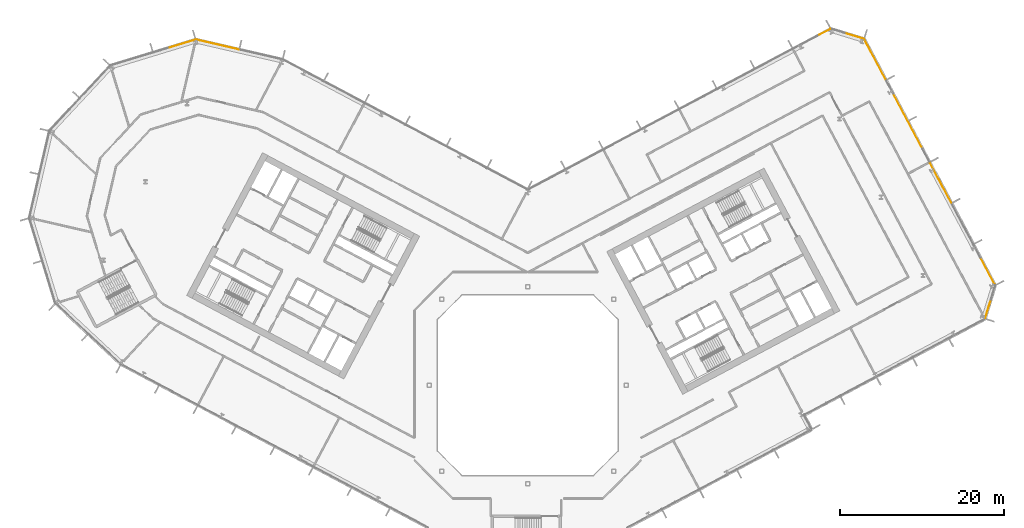
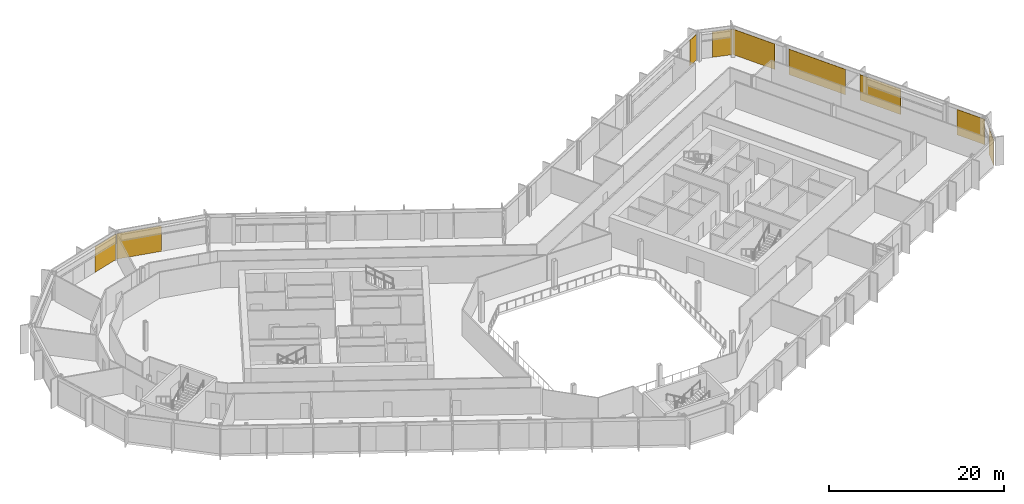
# One storey, part 28 of 28: 9 coverings, 6 elements without a shape of their own.
"""IFC4 building model written with IfcOpenShell, lengths in metres."""

from ifc_helpers import new_model, si_unit, direction, frame, origin, origin_2d, place, context, subcontext, project, spatial, rectangle, extrude, material, layer, layer_set, type_object, element, aggregate, save


model = new_model("IFC4")

# Units and contexts
model_context = context("Model", 3, precision=1e-05, world=origin(), true_north=direction((0.0, 1.0)))
body_context = subcontext(model_context, "Body", "Model", "MODEL_VIEW")
ifc_project = project(units=[si_unit("LENGTHUNIT", "METRE"), si_unit("AREAUNIT", "SQUARE_METRE"), si_unit("VOLUMEUNIT", "CUBIC_METRE"), si_unit("PLANEANGLEUNIT", "RADIAN"), si_unit("MASSUNIT", "GRAM", prefix="KILO")], contexts=[model_context])

# Site, building, storey
site_placement = place(None, origin())
site = spatial("IfcSite", under=ifc_project, at=site_placement, CompositionType="ELEMENT")
building_placement = place(site_placement, origin())
building = spatial("IfcBuilding", under=site, at=building_placement, Name="Cormorant Relay Tower", CompositionType="ELEMENT")
storey_placement = place(building_placement, frame((0.0, 0.0, 138.199951171875)))
storey = spatial("IfcBuildingStorey", under=building, at=storey_placement, Name="L28", CompositionType="ELEMENT", Elevation=138.199951171875)

# Curtain wall, covering
ifc_material_1 = material(Name="Aluminium 6063-T6 anodised bronze", Category="aluminium")
ifc_layer_1 = layer(ifc_material_1, 0.199951171875)
ifc_layer_set_1 = layer_set([ifc_layer_1], Name="CW1 unitised bronze curtain wall with vertical fins")
curtain_wall_type = type_object("IfcCurtainWallType", Name="CW1 unitised bronze curtain wall with vertical fins", PredefinedType="NOTDEFINED", material=ifc_layer_set_1)
curtain_wall_1_placement = place(storey_placement, origin())
curtain_wall_1 = element("IfcCurtainWall", 1, at=curtain_wall_1_placement, inside=storey, type_object=curtain_wall_type, Name="CW1 curtain wall 5", PredefinedType="NOTDEFINED")
ifc_material_2 = material(Name="Pale bronze anodised aluminium insulated panel", Category="aluminium")
ifc_layer_2 = layer(ifc_material_2, 0.0400390625)
ifc_layer_set_2 = layer_set([ifc_layer_2], Name="CW1 pale bronze insulated panel 40")
covering_type = type_object("IfcCoveringType", Name="CW1 pale bronze insulated panel 40", PredefinedType="CLADDING", material=ifc_layer_set_2)
covering_1_placement = place(storey_placement, frame((56.103515625, 9.303955078125, 0.0), z_axis=(0.0, 0.0, 1.0), x_axis=(0.292371704723, 0.956304755963, 0.0)))
covering_1 = element("IfcCovering", 2, at=covering_1_placement, type_object=covering_type, Name="CW1 panel S00", PredefinedType="CLADDING", context=body_context, shape_type="SweptSolid", body=[
    extrude(rectangle(XDim=2.36767578125, YDim=0.0400390625, at=origin_2d()), origin(), (0.0, 0.0, 1.0), 3.550048828125),
])
aggregate(curtain_wall_1, [covering_1])

# Curtain wall, coverings
curtain_wall_2_placement = place(storey_placement, origin())
curtain_wall_2 = element("IfcCurtainWall", 3, at=curtain_wall_2_placement, inside=storey, type_object=curtain_wall_type, Name="CW1 curtain wall 6", PredefinedType="NOTDEFINED")
covering_2_placement = place(storey_placement, frame((56.066650390625, 13.879638671875, 0.0), z_axis=(0.0, 0.0, 1.0), x_axis=(-0.469471562786, 0.882947592859, 0.0)))
covering_2 = element("IfcCovering", 4, at=covering_2_placement, type_object=covering_type, Name="CW1 panel S00", PredefinedType="CLADDING", context=body_context, shape_type="SweptSolid", body=[
    extrude(rectangle(XDim=3.716796875, YDim=0.0400390625, at=origin_2d()), origin(), (0.0, 0.0, 1.0), 3.550048828125),
])
covering_3_placement = place(storey_placement, frame((50.323486328125, 24.68115234375, 0.0), z_axis=(0.0, 0.0, 1.0), x_axis=(-0.469471562786, 0.882947592859, 0.0)))
covering_3 = element("IfcCovering", 5, at=covering_3_placement, type_object=covering_type, Name="CW1 panel S03", PredefinedType="CLADDING", context=body_context, shape_type="SweptSolid", body=[
    extrude(rectangle(XDim=5.5166015625, YDim=0.0400390625, at=origin_2d()), origin(), (0.0, 0.0, 1.0), 3.550048828125),
])
covering_4_placement = place(storey_placement, frame((46.3330078125, 32.18603515625, 0.0), z_axis=(0.0, 0.0, 1.0), x_axis=(-0.469471562786, 0.882947592859, 0.0)))
covering_4 = element("IfcCovering", 6, at=covering_4_placement, type_object=covering_type, Name="CW1 panel S05", PredefinedType="CLADDING", context=body_context, shape_type="SweptSolid", body=[
    extrude(rectangle(XDim=7.583251953125, YDim=0.0400390625, at=origin_2d()), origin(), (0.0, 0.0, 1.0), 3.550048828125),
])
covering_5_placement = place(storey_placement, frame((42.32470703125, 39.724365234375, 0.0), z_axis=(0.0, 0.0, 1.0), x_axis=(-0.469471562786, 0.882947592859, 0.0)))
covering_5 = element("IfcCovering", 7, at=covering_5_placement, type_object=covering_type, Name="CW1 panel S07", PredefinedType="CLADDING", context=body_context, shape_type="SweptSolid", body=[
    extrude(rectangle(XDim=5.591796875, YDim=0.0400390625, at=origin_2d()), origin(), (0.0, 0.0, 1.0), 3.550048828125),
])
aggregate(curtain_wall_2, [covering_2, covering_3, covering_4, covering_5])

# Curtain wall, covering
curtain_wall_3_placement = place(storey_placement, origin())
curtain_wall_3 = element("IfcCurtainWall", 8, at=curtain_wall_3_placement, inside=storey, type_object=curtain_wall_type, Name="CW1 curtain wall 7", PredefinedType="NOTDEFINED")
covering_6_placement = place(storey_placement, frame((39.796630859375, 42.570556640625, 0.0), z_axis=(0.0, 0.0, 1.0), x_axis=(-0.956304755963, 0.292371704723, 0.0)))
covering_6 = element("IfcCovering", 9, at=covering_6_placement, type_object=covering_type, Name="CW1 panel S00", PredefinedType="CLADDING", context=body_context, shape_type="SweptSolid", body=[
    extrude(rectangle(XDim=2.36767578125, YDim=0.0400390625, at=origin_2d()), origin(), (0.0, 0.0, 1.0), 3.550048828125),
])
aggregate(curtain_wall_3, [covering_6])

curtain_wall_4_placement = place(storey_placement, origin())
curtain_wall_4 = element("IfcCurtainWall", 10, at=curtain_wall_4_placement, inside=storey, type_object=curtain_wall_type, Name="CW1 curtain wall 8", PredefinedType="NOTDEFINED")
covering_7_placement = place(storey_placement, frame((36.208740234375, 43.05908203125, 0.0), z_axis=(0.0, 0.0, 1.0), x_axis=(-0.882947592859, -0.469471562786, 0.0)))
covering_7 = element("IfcCovering", 11, at=covering_7_placement, type_object=covering_type, Name="CW1 panel S00", PredefinedType="CLADDING", context=body_context, shape_type="SweptSolid", body=[
    extrude(rectangle(XDim=1.479248046875, YDim=0.0400390625, at=origin_2d()), origin(), (0.0, 0.0, 1.0), 3.550048828125),
])
aggregate(curtain_wall_4, [covering_7])

curtain_wall_5_placement = place(storey_placement, origin())
curtain_wall_5 = element("IfcCurtainWall", 12, at=curtain_wall_5_placement, inside=storey, type_object=curtain_wall_type, Name="CW1 curtain wall 10", PredefinedType="NOTDEFINED")
covering_8_placement = place(storey_placement, frame((-37.849609375, 41.530029296875, 0.0), z_axis=(0.0, 0.0, 1.0), x_axis=(-0.974370064785, 0.224951054344, 0.0)))
covering_8 = element("IfcCovering", 13, at=covering_8_placement, type_object=covering_type, Name="CW1 panel S01", PredefinedType="CLADDING", context=body_context, shape_type="SweptSolid", body=[
    extrude(rectangle(XDim=5.360107421875, YDim=0.0400390625, at=origin_2d()), origin(), (0.0, 0.0, 1.0), 3.550048828125),
])
aggregate(curtain_wall_5, [covering_8])

curtain_wall_6_placement = place(storey_placement, origin())
curtain_wall_6 = element("IfcCurtainWall", 14, at=curtain_wall_6_placement, inside=storey, type_object=curtain_wall_type, Name="CW1 curtain wall 11", PredefinedType="NOTDEFINED")
covering_9_placement = place(storey_placement, frame((-42.209716796875, 41.60107421875, 0.0), z_axis=(0.0, 0.0, 1.0), x_axis=(-0.956304755963, -0.292371704723, 0.0)))
covering_9 = element("IfcCovering", 15, at=covering_9_placement, type_object=covering_type, Name="CW1 panel S00", PredefinedType="CLADDING", context=body_context, shape_type="SweptSolid", body=[
    extrude(rectangle(XDim=3.485107421875, YDim=0.0400390625, at=origin_2d()), origin(), (0.0, 0.0, 1.0), 3.550048828125),
])
aggregate(curtain_wall_6, [covering_9])

save(model, "model.ifc")
